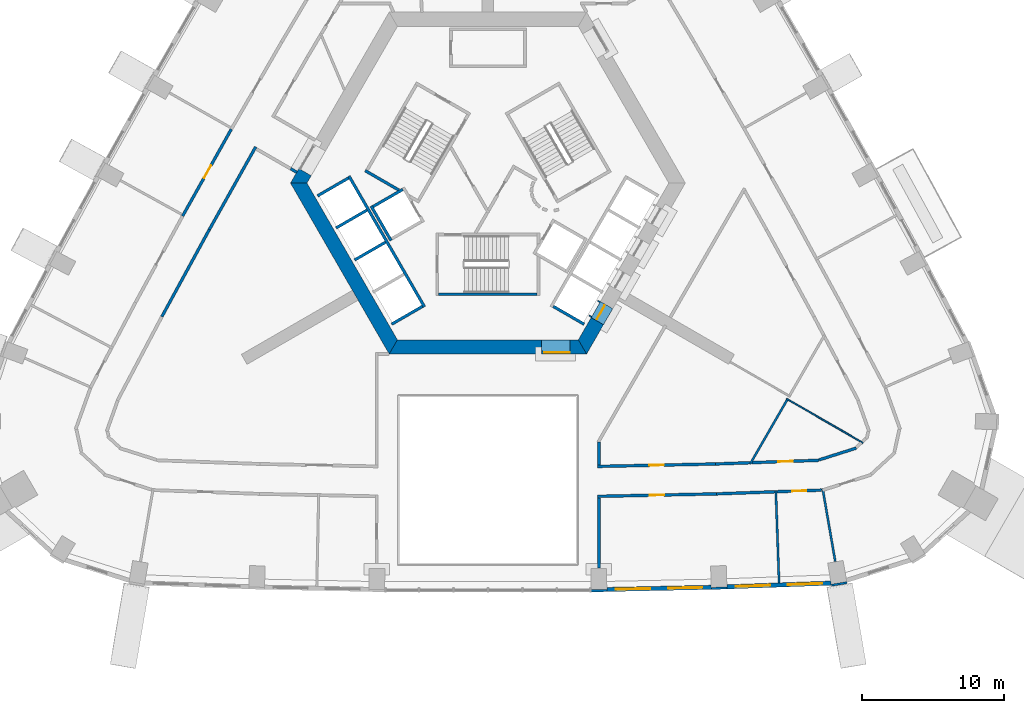
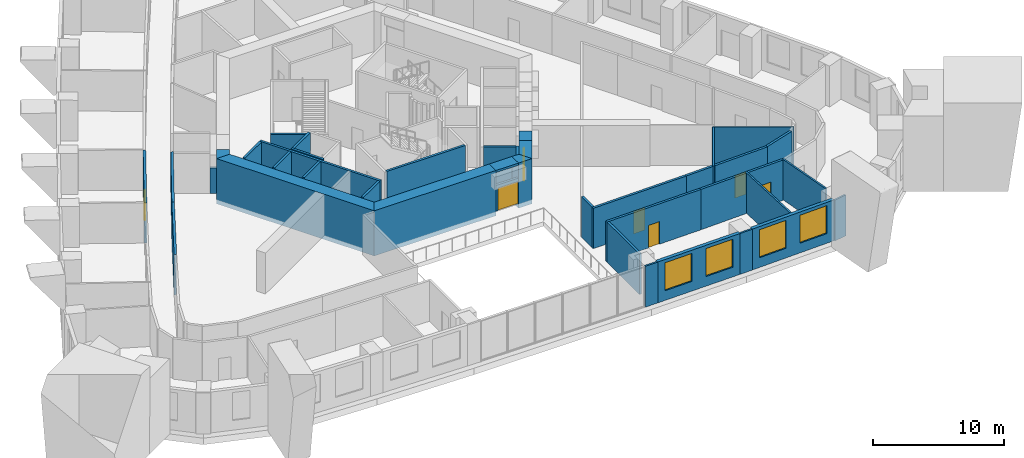
# One storey, part 5 of 14: 41 walls, 7 doors, 4 windows, 11 openings.
"""IFC4 building model written with IfcOpenShell, lengths in metres."""

from ifc_helpers import new_model, si_unit, direction, frame, frame_2d, origin, place, context, subcontext, project, spatial, polyline, rectangle, outline, extrude, material, layer, layer_set, type_object, element, fill, save


model = new_model("IFC4")

# Units and contexts
model_context = context("Model", 3, precision=1e-05, world=origin(), true_north=direction((0.0, 1.0)))
body_context = subcontext(model_context, "Body", "Model", "MODEL_VIEW")
ifc_project = project(units=[si_unit("LENGTHUNIT", "METRE"), si_unit("AREAUNIT", "SQUARE_METRE"), si_unit("VOLUMEUNIT", "CUBIC_METRE"), si_unit("PLANEANGLEUNIT", "RADIAN"), si_unit("MASSUNIT", "GRAM", prefix="KILO")], contexts=[model_context])

# Site, building, storey
site_placement = place(None, origin())
site = spatial("IfcSite", under=ifc_project, at=site_placement, CompositionType="ELEMENT")
building_placement = place(site_placement, origin())
building = spatial("IfcBuilding", under=site, at=building_placement, Name="Entoto Arch Interchange Tower", CompositionType="ELEMENT")
storey_placement = place(building_placement, frame((0.0, 0.0, 176.0)))
storey = spatial("IfcBuildingStorey", under=building, at=storey_placement, Name="L39", CompositionType="ELEMENT", Elevation=176.0)

# Wall, opening, door
ifc_material_1 = material(Name="Reinforced concrete C40/50", Category="concrete")
ifc_layer_1 = layer(ifc_material_1, 0.199951171875)
ifc_layer_set_1 = layer_set([ifc_layer_1], Name="Reinforced concrete C40/50")
wall_type_1 = type_object("IfcWallType", Name="CORE GAP INFILL WALL", PredefinedType="PARTITIONING", material=ifc_layer_set_1)
wall_1_placement = place(storey_placement, frame((3.75, -9.39990234375, 0.0), z_axis=(0.0, 0.0, 1.0), x_axis=(1.0, 0.0, 0.0)))
wall_1 = element("IfcWall", 1, at=wall_1_placement, inside=storey, type_object=wall_type_1, Name="wall:L39:gap1", PredefinedType="PARTITIONING", context=body_context, shape_type="SweptSolid", body=[
    extrude(rectangle(XDim=2.0, YDim=0.199951171875, at=frame_2d((1.0, 0.0))), origin(), (0.0, 0.0, 1.0), 2.39990234375),
])
opening_1_placement = place(wall_1_placement, frame((0.18994140625, 0.0, 0.0)))
opening_1 = element("IfcOpeningElement", 2, at=opening_1_placement, cuts=wall_1, Name="Opening L39-D91", PredefinedType="OPENING", context=body_context, shape_type="SweptSolid", body=[
    extrude(rectangle(XDim=1.800048828125, YDim=2.10009765625, at=frame_2d((0.89990234375, 1.050048828125))), frame((0.0, 0.10986328125, 0.0), z_axis=(0.0, -1.0, 0.0), x_axis=(1.0, 0.0, 0.0)), (0.0, 0.0, 1.0), 0.219970703125),
])
ifc_material_2 = material(Name="Fire-rated Steel S235 door and frame", Category="steel")
door_type_1 = type_object("IfcDoorType", Name="DOOR FD-18 1800x2100", OperationType="DOUBLE_DOOR_SINGLE_SWING", PredefinedType="DOOR", material=ifc_material_2)
door_1_placement = place(opening_1_placement, origin())
door_1 = element("IfcDoor", 3, at=door_1_placement, inside=storey, type_object=door_type_1, Name="door:L39:gap1", OperationType="DOUBLE_DOOR_SINGLE_SWING", OverallHeight=2.10009765625, OverallWidth=1.800048828125, PredefinedType="DOOR", context=body_context, shape_type="SweptSolid", body=[
    extrude(rectangle(XDim=1.800048828125, YDim=2.10009765625, at=frame_2d((0.89990234375, 1.050048828125))), frame((0.0, 0.02490234375, 0.0), z_axis=(0.0, -1.0, 0.0), x_axis=(1.0, 0.0, 0.0)), (0.0, 0.0, 1.0), 0.050048828125),
])
fill(opening_1, door_1)

# Walls
ifc_material_3 = material(Name="Concrete C50/60", Category="concrete")
ifc_layer_2 = layer(ifc_material_3, 1.0)
ifc_layer_set_2 = layer_set([ifc_layer_2], Name="Concrete C50/60")
wall_type_2 = type_object("IfcWallType", Name="Core wall 1000 C50/60", PredefinedType="SHEAR", material=ifc_layer_set_2)
wall_2_placement = place(storey_placement, frame((0.0, 0.0, -0.39990234375)))
element("IfcWall", 4, at=wall_2_placement, inside=storey, type_object=wall_type_2, Name="Core wall NW L39", PredefinedType="SHEAR", context=body_context, shape_type="SweptSolid", body=[
    extrude(outline(polyline([(-12.402099609375, 3.02001953125), (-13.26708984375, 3.52001953125), (-13.85595703125, 2.5), (-12.701904296875, 2.5), (-12.402099609375, 3.02001953125)])), origin(), (0.0, 0.0, 1.0), 4.199951171875),
])
wall_3_placement = place(storey_placement, frame((0.0, 0.0, -0.39990234375)))
element("IfcWall", 5, at=wall_3_placement, inside=storey, type_object=wall_type_2, Name="Core wall SW L39", PredefinedType="SHEAR", context=body_context, shape_type="SweptSolid", body=[
    extrude(outline(polyline([(-13.85595703125, 2.5), (-6.927978515625, -9.5), (-6.35107421875, -8.5), (-12.701904296875, 2.5), (-13.85595703125, 2.5)])), origin(), (0.0, 0.0, 1.0), 4.199951171875),
])
wall_4_placement = place(storey_placement, frame((0.0, 0.0, -0.39990234375)))
element("IfcWall", 6, at=wall_4_placement, inside=storey, type_object=wall_type_2, Name="Core wall S L39", PredefinedType="SHEAR", context=body_context, shape_type="SweptSolid", body=[
    extrude(outline(polyline([(3.75, -9.5), (3.75, -8.5), (-6.35107421875, -8.5), (-6.927978515625, -9.5), (3.75, -9.5)])), origin(), (0.0, 0.0, 1.0), 4.199951171875),
])
wall_5_placement = place(storey_placement, frame((0.0, 0.0, -0.39990234375)))
element("IfcWall", 7, at=wall_5_placement, inside=storey, type_object=wall_type_2, Name="Core wall S L39", PredefinedType="SHEAR", context=body_context, shape_type="SweptSolid", body=[
    extrude(outline(polyline([(5.75, -8.5), (5.75, -9.5), (6.927978515625, -9.5), (6.35107421875, -8.5), (5.75, -8.5)])), origin(), (0.0, 0.0, 1.0), 4.199951171875),
])
wall_6_placement = place(storey_placement, frame((0.0, 0.0, 3.60009765625)))
element("IfcWall", 8, at=wall_6_placement, inside=storey, type_object=wall_type_2, Name="Core wall lintel S L39", PredefinedType="SHEAR", context=body_context, shape_type="SweptSolid", body=[
    extrude(outline(polyline([(5.75, -9.5), (5.75, -8.5), (3.75, -8.5), (3.75, -9.5), (5.75, -9.5)])), origin(), (0.0, 0.0, 1.0), 0.199951171875),
])
wall_7_placement = place(storey_placement, frame((0.0, 0.0, -0.39990234375)))
element("IfcWall", 9, at=wall_7_placement, inside=storey, type_object=wall_type_2, Name="Core wall SE L39", PredefinedType="SHEAR", context=body_context, shape_type="SweptSolid", body=[
    extrude(outline(polyline([(8.116943359375, -7.43994140625), (7.251953125, -6.93994140625), (6.35107421875, -8.5), (6.927978515625, -9.5), (8.116943359375, -7.43994140625)])), origin(), (0.0, 0.0, 1.0), 4.199951171875),
])
wall_8_placement = place(storey_placement, frame((0.0, 0.0, 3.60009765625)))
element("IfcWall", 10, at=wall_8_placement, inside=storey, type_object=wall_type_2, Name="Core wall lintel SE L39", PredefinedType="SHEAR", context=body_context, shape_type="SweptSolid", body=[
    extrude(outline(polyline([(8.76708984375, -6.31396484375), (7.902099609375, -5.81396484375), (7.251953125, -6.93994140625), (8.116943359375, -7.43994140625), (8.76708984375, -6.31396484375)])), origin(), (0.0, 0.0, 1.0), 0.199951171875),
])

# Wall, opening, door
ifc_material_4 = material(Name="Concrete C40/50", Category="concrete")
ifc_layer_3 = layer(ifc_material_4, 1.199951171875)
ifc_layer_set_3 = layer_set([ifc_layer_3], Name="Concrete C40/50")
wall_type_3 = type_object("IfcWallType", Name="LIFT LANDING INFILL WALL", PredefinedType="STANDARD", material=ifc_layer_set_3)
wall_9_placement = place(storey_placement, frame((7.597900390625, -7.139892578125, 0.0), z_axis=(0.0, 0.0, 1.0), x_axis=(0.500362116554, 0.865816234728, 0.0)))
wall_9 = element("IfcWall", 11, at=wall_9_placement, inside=storey, type_object=wall_type_3, Name="Lift landing infill wall LR5 L39", PredefinedType="STANDARD", context=body_context, shape_type="SweptSolid", body=[
    extrude(rectangle(XDim=1.29931640625, YDim=1.199951171875, at=frame_2d((0.649658203125, 0.0))), origin(), (0.0, 0.0, 1.0), 2.39990234375),
])
opening_2_placement = place(wall_9_placement, frame((0.10009765625, 0.0, 0.0)))
opening_2 = element("IfcOpeningElement", 12, at=opening_2_placement, cuts=wall_9, Name="Opening LD-LR5-L39", PredefinedType="OPENING", context=body_context, shape_type="SweptSolid", body=[
    extrude(rectangle(XDim=1.10009765625, YDim=2.300048828125, at=frame_2d((0.550048828125, 1.14990234375))), frame((0.0, 0.60986328125, 0.0), z_axis=(0.0, -1.0, 0.0), x_axis=(1.0, 0.0, 0.0)), (0.0, 0.0, 1.0), 1.219970703125),
])
ifc_material_5 = material(Name="Stainless steel 1.4301 panels", Category="steel")
door_type_2 = type_object("IfcDoorType", Name="LIFT LANDING DOOR LD2 1100x2300", OperationType="SLIDING_TO_LEFT", PredefinedType="DOOR", material=ifc_material_5)
door_2_placement = place(opening_2_placement, origin())
door_2 = element("IfcDoor", 13, at=door_2_placement, inside=storey, type_object=door_type_2, Name="Lift landing door LR5 L39", OperationType="SLIDING_TO_LEFT", OverallHeight=2.300048828125, OverallWidth=1.10009765625, PredefinedType="DOOR", context=body_context, shape_type="SweptSolid", body=[
    extrude(rectangle(XDim=1.10009765625, YDim=2.300048828125, at=frame_2d((0.550048828125, 1.14990234375))), frame((0.0, 0.02490234375, 0.0), z_axis=(0.0, -1.0, 0.0), x_axis=(1.0, 0.0, 0.0)), (0.0, 0.0, 1.0), 0.050048828125),
])
fill(opening_2, door_2)

# Walls
ifc_layer_4 = layer(ifc_material_4, 0.199951171875)
ifc_layer_set_4 = layer_set([ifc_layer_4], Name="Concrete C40/50")
wall_type_4 = type_object("IfcWallType", Name="LIFT SHAFT WALL 200", PredefinedType="STANDARD", material=ifc_layer_set_4)
wall_10_placement = place(storey_placement, frame((-8.19189453125, 0.887939453125, 0.0), z_axis=(0.0, 0.0, 1.0), x_axis=(0.49994636267, -0.866056369097, 0.0)))
element("IfcWall", 14, at=wall_10_placement, inside=storey, type_object=wall_type_4, Name="Shaft wall SW1 back", PredefinedType="STANDARD", context=body_context, shape_type="SweptSolid", body=[
    extrude(rectangle(XDim=2.800048828125, YDim=0.199951171875, at=frame_2d((1.39990234375, 0.0))), origin(), (0.0, 0.0, 1.0), 3.75),
])
wall_11_placement = place(storey_placement, frame((-5.97705078125, 2.052001953125, 0.0), z_axis=(0.0, 0.0, 1.0), x_axis=(-0.865973769406, -0.500089422704, 0.0)))
element("IfcWall", 15, at=wall_11_placement, inside=storey, type_object=wall_type_4, Name="Shaft wall SW1 cross 1", PredefinedType="STANDARD", context=body_context, shape_type="SweptSolid", body=[
    extrude(rectangle(XDim=2.3994140625, YDim=0.199951171875, at=frame_2d((1.19970703125, 0.0))), origin(), (0.0, 0.0, 1.0), 3.75),
])
wall_12_placement = place(storey_placement, frame((-9.7509765625, 2.989990234375, 0.0), z_axis=(0.0, 0.0, 1.0), x_axis=(0.50000090737, -0.866024879913, 0.0)))
element("IfcWall", 16, at=wall_12_placement, inside=storey, type_object=wall_type_4, Name="Shaft wall SW3 front", PredefinedType="STANDARD", context=body_context, shape_type="SweptSolid", body=[
    extrude(rectangle(XDim=10.60009765625, YDim=0.199951171875, at=frame_2d((5.300048828125, 0.0))), origin(), (0.0, 0.0, 1.0), 3.75),
])
wall_13_placement = place(storey_placement, frame((-9.7880859375, 2.85302734375, 0.0), z_axis=(0.0, 0.0, 1.0), x_axis=(-0.865998541277, -0.500046524342, 0.0)))
element("IfcWall", 17, at=wall_13_placement, inside=storey, type_object=wall_type_4, Name="Shaft wall SW3 cross 1", PredefinedType="STANDARD", context=body_context, shape_type="SweptSolid", body=[
    extrude(rectangle(XDim=2.499755859375, YDim=0.199951171875, at=frame_2d((1.25, 0.0))), origin(), (0.0, 0.0, 1.0), 3.75),
])
for number, where, z_axis, x_axis, name in (
    (18, (-8.488037109375, 0.60205078125, 0.0), (0.0, 0.0, 1.0), (-0.866022959057, -0.500004234368, 0.0), "Shaft wall SW3 cross 2"),
    (19, (-7.18798828125, -1.64990234375, 0.0), (0.0, 0.0, 1.0), (-0.866022959057, -0.500004234368, 0.0), "Shaft wall SW3 cross 3"),
    (20, (-4.587890625, -6.153076171875, 0.0), (0.0, 0.0, 1.0), (-0.866022959057, -0.500004234368, 0.0), "Shaft wall SW3 cross 5"),
    (21, (4.587890625, -6.153076171875, 0.0), (0.0, 0.0, 1.0), (0.866022959057, -0.500004234368, 0.0), "Shaft wall SE3 cross 1"),
):
    element("IfcWall", number, at=place(storey_placement, frame(where, z_axis=z_axis, x_axis=x_axis)), inside=storey, type_object=wall_type_4, Name=name, PredefinedType="STANDARD", context=body_context, shape_type="SweptSolid", body=[
        extrude(rectangle(XDim=2.5, YDim=0.199951171875, at=frame_2d((1.25, 0.0))), origin(), (0.0, 0.0, 1.0), 3.75),
    ])
ifc_material_6 = material(Name="Gypsum board partition on steel studs", Category="steel")
ifc_layer_5 = layer(ifc_material_6, 0.10009765625)
ifc_layer_set_5 = layer_set([ifc_layer_5], Name="Gypsum board partition on steel studs")
wall_type_5 = type_object("IfcWallType", Name="PARTITION 100", PredefinedType="PARTITIONING", material=ifc_layer_set_5)
wall_14_placement = place(storey_placement, frame((20.964111328125, -12.637939453125, 0.0), z_axis=(0.0, 0.0, 1.0), x_axis=(0.865981737723, -0.500075624211, 0.0)))
element("IfcWall", 22, at=wall_14_placement, inside=storey, type_object=wall_type_5, Name="wall:L39:p111", PredefinedType="PARTITIONING", context=body_context, shape_type="SweptSolid", body=[
    extrude(rectangle(XDim=6.203125, YDim=0.10009765625, at=frame_2d((3.1015625, 0.0))), origin(), (0.0, 0.0, 1.0), 3.75),
])
ifc_layer_6 = layer(ifc_material_6, 0.14990234375)
ifc_layer_set_6 = layer_set([ifc_layer_6], Name="Gypsum board partition on steel studs")
wall_type_6 = type_object("IfcWallType", Name="PARTITION 150", PredefinedType="PARTITIONING", material=ifc_layer_set_6)
wall_15_placement = place(storey_placement, frame((21.00390625, -12.718994140625, 0.0), z_axis=(0.0, 0.0, 1.0), x_axis=(-0.499877157623, -0.866096315249, 0.0)))
element("IfcWall", 23, at=wall_15_placement, inside=storey, type_object=wall_type_6, Name="wall:L39:p109", PredefinedType="PARTITIONING", context=body_context, shape_type="SweptSolid", body=[
    extrude(rectangle(XDim=5.191162109375, YDim=0.14990234375, at=frame_2d((2.595703125, 0.0))), origin(), (0.0, 0.0, 1.0), 3.75),
])
wall_16_placement = place(storey_placement, frame((20.2099609375, -19.06689453125, 0.0), z_axis=(0.0, 0.0, 1.0), x_axis=(0.035530768169, -0.999368582913, 0.0)))
element("IfcWall", 24, at=wall_16_placement, inside=storey, type_object=wall_type_6, Name="wall:L39:p112", PredefinedType="PARTITIONING", context=body_context, shape_type="SweptSolid", body=[
    extrude(rectangle(XDim=6.500244140625, YDim=0.14990234375, at=frame_2d((3.25, 0.0))), origin(), (0.0, 0.0, 1.0), 3.75),
])
wall_17_placement = place(storey_placement, frame((23.498046875, -18.949951171875, 0.0), z_axis=(0.0, 0.0, 1.0), x_axis=(0.170609023531, -0.985338805229, 0.0)))
element("IfcWall", 25, at=wall_17_placement, inside=storey, type_object=wall_type_6, Name="wall:L39:p113", PredefinedType="PARTITIONING", context=body_context, shape_type="SweptSolid", body=[
    extrude(rectangle(XDim=5.193115234375, YDim=0.14990234375, at=frame_2d((2.5966796875, 0.0))), origin(), (0.0, 0.0, 1.0), 3.75),
])

# Wall, opening, door
ifc_layer_7 = layer(ifc_material_6, 0.199951171875)
ifc_layer_set_7 = layer_set([ifc_layer_7], Name="Gypsum board partition on steel studs")
wall_type_7 = type_object("IfcWallType", Name="PARTITION 200", PredefinedType="PARTITIONING", material=ifc_layer_set_7)
wall_18_placement = place(storey_placement, frame((7.699951171875, -17.388916015625, 0.0), z_axis=(0.0, 0.0, 1.0), x_axis=(0.999782442794, 0.020858261713, 0.0)))
wall_18 = element("IfcWall", 26, at=wall_18_placement, inside=storey, type_object=wall_type_7, Name="wall:L39:p020", PredefinedType="PARTITIONING", context=body_context, shape_type="SweptSolid", body=[
    extrude(rectangle(XDim=8.286865234375, YDim=0.199951171875, at=frame_2d((4.1435546875, 0.0))), origin(), (0.0, 0.0, 1.0), 3.75),
])
opening_3_placement = place(wall_18_placement, frame((3.64404296875, 0.0, 0.0)))
opening_3 = element("IfcOpeningElement", 27, at=opening_3_placement, cuts=wall_18, Name="Opening L39-D19", PredefinedType="OPENING", context=body_context, shape_type="SweptSolid", body=[
    extrude(rectangle(XDim=1.0, YDim=2.10009765625, at=frame_2d((0.5, 1.050048828125))), frame((0.0, 0.10986328125, 0.0), z_axis=(0.0, -1.0, 0.0), x_axis=(1.0, 0.0, 0.0)), (0.0, 0.0, 1.0), 0.219970703125),
])
ifc_material_7 = material(Name="Timber door leaf in Steel S235 frame", Category="steel")
door_type_3 = type_object("IfcDoorType", Name="DOOR DS-10 1000x2100", OperationType="SINGLE_SWING_LEFT", PredefinedType="DOOR", material=ifc_material_7)
door_3_placement = place(opening_3_placement, origin())
door_3 = element("IfcDoor", 28, at=door_3_placement, inside=storey, type_object=door_type_3, Name="door:L39:19", OperationType="SINGLE_SWING_RIGHT", OverallHeight=2.10009765625, OverallWidth=1.0, PredefinedType="DOOR", context=body_context, shape_type="SweptSolid", body=[
    extrude(rectangle(XDim=1.0, YDim=2.10009765625, at=frame_2d((0.5, 1.050048828125))), frame((0.0, 0.02490234375, 0.0), z_axis=(0.0, -1.0, 0.0), x_axis=(1.0, 0.0, 0.0)), (0.0, 0.0, 1.0), 0.050048828125),
])
fill(opening_3, door_3)

# Wall
wall_19_placement = place(storey_placement, frame((15.985107421875, -17.216064453125, 0.0), z_axis=(0.0, 0.0, 1.0), x_axis=(0.999373434249, 0.035394052017, 0.0)))
element("IfcWall", 29, at=wall_19_placement, inside=storey, type_object=wall_type_7, Name="wall:L39:p021", PredefinedType="PARTITIONING", context=body_context, shape_type="SweptSolid", body=[
    extrude(rectangle(XDim=2.400390625, YDim=0.199951171875, at=frame_2d((1.2001953125, 0.0))), origin(), (0.0, 0.0, 1.0), 3.75),
])

# Wall, opening, door
wall_20_placement = place(storey_placement, frame((18.533935546875, -17.125, 0.0), z_axis=(0.0, 0.0, 1.0), x_axis=(0.999367128298, 0.035571658351, 0.0)))
wall_20 = element("IfcWall", 30, at=wall_20_placement, inside=storey, type_object=wall_type_7, Name="wall:L39:p025", PredefinedType="PARTITIONING", context=body_context, shape_type="SweptSolid", body=[
    extrude(rectangle(XDim=4.721923828125, YDim=0.199951171875, at=frame_2d((2.36083984375, 0.0))), origin(), (0.0, 0.0, 1.0), 3.75),
])
opening_4_placement = place(wall_20_placement, frame((1.861083984375, 0.0, 0.0)))
opening_4 = element("IfcOpeningElement", 31, at=opening_4_placement, cuts=wall_20, Name="Opening L39-D21", PredefinedType="OPENING", context=body_context, shape_type="SweptSolid", body=[
    extrude(rectangle(XDim=1.0, YDim=2.10009765625, at=frame_2d((0.5, 1.050048828125))), frame((0.0, 0.10986328125, 0.0), z_axis=(0.0, -1.0, 0.0), x_axis=(1.0, 0.0, 0.0)), (0.0, 0.0, 1.0), 0.219970703125),
])
door_4_placement = place(opening_4_placement, origin())
door_4 = element("IfcDoor", 32, at=door_4_placement, inside=storey, type_object=door_type_3, Name="door:L39:21", OperationType="SINGLE_SWING_LEFT", OverallHeight=2.10009765625, OverallWidth=1.0, PredefinedType="DOOR", context=body_context, shape_type="SweptSolid", body=[
    extrude(rectangle(XDim=1.0, YDim=2.10009765625, at=frame_2d((0.5, 1.050048828125))), frame((0.0, 0.02490234375, 0.0), z_axis=(0.0, -1.0, 0.0), x_axis=(1.0, 0.0, 0.0)), (0.0, 0.0, 1.0), 0.050048828125),
])
fill(opening_4, door_4)

# Walls
wall_21_placement = place(storey_placement, frame((23.2490234375, -16.929931640625, 0.0), z_axis=(0.0, 0.0, 1.0), x_axis=(0.953158072423, 0.302472625167, 0.0)))
element("IfcWall", 33, at=wall_21_placement, inside=storey, type_object=wall_type_7, Name="wall:L39:p026", PredefinedType="PARTITIONING", context=body_context, shape_type="SweptSolid", body=[
    extrude(rectangle(XDim=2.743408203125, YDim=0.199951171875, at=frame_2d((1.37158203125, 0.0))), origin(), (0.0, 0.0, 1.0), 3.75),
])
wall_22_placement = place(storey_placement, frame((-13.4169921875, 3.260009765625, 0.0), z_axis=(0.0, 0.0, 1.0), x_axis=(-0.866071776036, 0.499919672301, 0.0)))
element("IfcWall", 34, at=wall_22_placement, inside=storey, type_object=wall_type_7, Name="wall:L39:p039", PredefinedType="PARTITIONING", context=body_context, shape_type="SweptSolid", body=[
    extrude(rectangle(XDim=0.5, YDim=0.199951171875, at=frame_2d((0.25, 0.0))), origin(), (0.0, 0.0, 1.0), 2.39990234375),
])
wall_23_placement = place(storey_placement, frame((-16.299072265625, 5.0400390625, 0.0), z_axis=(0.0, 0.0, 1.0), x_axis=(-0.489219677344, -0.872160597195, 0.0)))
element("IfcWall", 35, at=wall_23_placement, inside=storey, type_object=wall_type_7, Name="wall:L39:p040", PredefinedType="PARTITIONING", context=body_context, shape_type="SweptSolid", body=[
    extrude(rectangle(XDim=6.6572265625, YDim=0.199951171875, at=frame_2d((3.32861328125, 0.0))), origin(), (0.0, 0.0, 1.0), 3.75),
])
wall_24_placement = place(storey_placement, frame((-19.555908203125, -0.76611328125, 0.0), z_axis=(0.0, 0.0, 1.0), x_axis=(-0.478665365973, -0.877997418799, 0.0)))
element("IfcWall", 36, at=wall_24_placement, inside=storey, type_object=wall_type_7, Name="wall:L39:p041", PredefinedType="PARTITIONING", context=body_context, shape_type="SweptSolid", body=[
    extrude(rectangle(XDim=6.961181640625, YDim=0.199951171875, at=frame_2d((3.48046875, 0.0))), origin(), (0.0, 0.0, 1.0), 3.75),
])
wall_25_placement = place(storey_placement, frame((20.137939453125, -19.1689453125, 0.0), z_axis=(0.0, 0.0, 1.0), x_axis=(-0.999355925453, -0.035885014442, 0.0)))
element("IfcWall", 37, at=wall_25_placement, inside=storey, type_object=wall_type_7, Name="wall:L39:p042", PredefinedType="PARTITIONING", context=body_context, shape_type="SweptSolid", body=[
    extrude(rectangle(XDim=4.095703125, YDim=0.199951171875, at=frame_2d((2.0478515625, 0.0))), origin(), (0.0, 0.0, 1.0), 3.75),
])

# Wall, opening, door
wall_26_placement = place(storey_placement, frame((16.044921875, -19.31591796875, 0.0), z_axis=(0.0, 0.0, 1.0), x_axis=(-0.99978251073, -0.020855005124, 0.0)))
wall_26 = element("IfcWall", 38, at=wall_26_placement, inside=storey, type_object=wall_type_7, Name="wall:L39:p043", PredefinedType="PARTITIONING", context=body_context, shape_type="SweptSolid", body=[
    extrude(rectangle(XDim=8.3466796875, YDim=0.199951171875, at=frame_2d((4.17333984375, 0.0))), origin(), (0.0, 0.0, 1.0), 3.75),
])
opening_5_placement = place(wall_26_placement, frame((3.673095703125, 0.0, 0.0)))
opening_5 = element("IfcOpeningElement", 39, at=opening_5_placement, cuts=wall_26, Name="Opening L39-D01", PredefinedType="OPENING", context=body_context, shape_type="SweptSolid", body=[
    extrude(rectangle(XDim=1.0, YDim=2.10009765625, at=frame_2d((0.5, 1.050048828125))), frame((0.0, 0.10986328125, 0.0), z_axis=(0.0, -1.0, 0.0), x_axis=(1.0, 0.0, 0.0)), (0.0, 0.0, 1.0), 0.219970703125),
])
door_5_placement = place(opening_5_placement, origin())
door_5 = element("IfcDoor", 40, at=door_5_placement, inside=storey, type_object=door_type_3, Name="door:L39:01", OperationType="SINGLE_SWING_RIGHT", OverallHeight=2.10009765625, OverallWidth=1.0, PredefinedType="DOOR", context=body_context, shape_type="SweptSolid", body=[
    extrude(rectangle(XDim=1.0, YDim=2.10009765625, at=frame_2d((0.5, 1.050048828125))), frame((0.0, 0.02490234375, 0.0), z_axis=(0.0, -1.0, 0.0), x_axis=(1.0, 0.0, 0.0)), (0.0, 0.0, 1.0), 0.050048828125),
])
fill(opening_5, door_5)

wall_27_placement = place(storey_placement, frame((23.4150390625, -19.052001953125, 0.0), z_axis=(0.0, 0.0, 1.0), x_axis=(-0.999358473407, -0.035813986516, 0.0)))
wall_27 = element("IfcWall", 41, at=wall_27_placement, inside=storey, type_object=wall_type_7, Name="wall:L39:p044", PredefinedType="PARTITIONING", context=body_context, shape_type="SweptSolid", body=[
    extrude(rectangle(XDim=3.12890625, YDim=0.199951171875, at=frame_2d((1.564453125, 0.0))), origin(), (0.0, 0.0, 1.0), 3.75),
])
opening_6_placement = place(wall_27_placement, frame((1.06494140625, 0.0, 0.0)))
opening_6 = element("IfcOpeningElement", 42, at=opening_6_placement, cuts=wall_27, Name="Opening L39-D02", PredefinedType="OPENING", context=body_context, shape_type="SweptSolid", body=[
    extrude(rectangle(XDim=1.0, YDim=2.10009765625, at=frame_2d((0.5, 1.050048828125))), frame((0.0, 0.10986328125, 0.0), z_axis=(0.0, -1.0, 0.0), x_axis=(1.0, 0.0, 0.0)), (0.0, 0.0, 1.0), 0.219970703125),
])
door_6_placement = place(opening_6_placement, origin())
door_6 = element("IfcDoor", 43, at=door_6_placement, inside=storey, type_object=door_type_3, Name="door:L39:02", OperationType="SINGLE_SWING_LEFT", OverallHeight=2.10009765625, OverallWidth=1.0, PredefinedType="DOOR", context=body_context, shape_type="SweptSolid", body=[
    extrude(rectangle(XDim=1.0, YDim=2.10009765625, at=frame_2d((0.5, 1.050048828125))), frame((0.0, 0.02490234375, 0.0), z_axis=(0.0, -1.0, 0.0), x_axis=(1.0, 0.0, 0.0)), (0.0, 0.0, 1.0), 0.050048828125),
])
fill(opening_6, door_6)

wall_28_placement = place(storey_placement, frame((-21.429931640625, 0.18505859375, 0.0), z_axis=(0.0, 0.0, 1.0), x_axis=(0.489124577711, 0.872213934468, 0.0)))
wall_28 = element("IfcWall", 44, at=wall_28_placement, inside=storey, type_object=wall_type_7, Name="wall:L39:p067", PredefinedType="PARTITIONING", context=body_context, shape_type="SweptSolid", body=[
    extrude(rectangle(XDim=6.988037109375, YDim=0.199951171875, at=frame_2d((3.494140625, 0.0))), origin(), (0.0, 0.0, 1.0), 3.75),
])
opening_7_placement = place(wall_28_placement, frame((3.069091796875, 0.0, 0.0)))
opening_7 = element("IfcOpeningElement", 45, at=opening_7_placement, cuts=wall_28, Name="Opening L39-D13", PredefinedType="OPENING", context=body_context, shape_type="SweptSolid", body=[
    extrude(rectangle(XDim=1.0, YDim=2.10009765625, at=frame_2d((0.5, 1.050048828125))), frame((0.0, 0.10986328125, 0.0), z_axis=(0.0, -1.0, 0.0), x_axis=(1.0, 0.0, 0.0)), (0.0, 0.0, 1.0), 0.219970703125),
])
door_7_placement = place(opening_7_placement, origin())
door_7 = element("IfcDoor", 46, at=door_7_placement, inside=storey, type_object=door_type_3, Name="door:L39:13", OperationType="SINGLE_SWING_LEFT", OverallHeight=2.10009765625, OverallWidth=1.0, PredefinedType="DOOR", context=body_context, shape_type="SweptSolid", body=[
    extrude(rectangle(XDim=1.0, YDim=2.10009765625, at=frame_2d((0.5, 1.050048828125))), frame((0.0, 0.02490234375, 0.0), z_axis=(0.0, -1.0, 0.0), x_axis=(1.0, 0.0, 0.0)), (0.0, 0.0, 1.0), 0.050048828125),
])
fill(opening_7, door_7)

# Walls
wall_29_placement = place(storey_placement, frame((7.800048828125, -15.68994140625, 0.0), z_axis=(0.0, 0.0, 1.0), x_axis=(0.0, -1.0, 0.0)))
element("IfcWall", 47, at=wall_29_placement, inside=storey, type_object=wall_type_7, Name="wall:L39:p096", PredefinedType="PARTITIONING", context=body_context, shape_type="SweptSolid", body=[
    extrude(rectangle(XDim=1.59716796875, YDim=0.199951171875, at=frame_2d((0.798583984375, 0.0))), origin(), (0.0, 0.0, 1.0), 3.75),
])
wall_30_placement = place(storey_placement, frame((7.800048828125, -19.587890625, 0.0), z_axis=(0.0, 0.0, 1.0), x_axis=(0.0, -1.0, 0.0)))
element("IfcWall", 48, at=wall_30_placement, inside=storey, type_object=wall_type_7, Name="wall:L39:p099", PredefinedType="PARTITIONING", context=body_context, shape_type="SweptSolid", body=[
    extrude(rectangle(XDim=4.93115234375, YDim=0.199951171875, at=frame_2d((2.465576171875, 0.0))), origin(), (0.0, 0.0, 1.0), 3.75),
])
ifc_layer_8 = layer(ifc_material_4, 0.199951171875)
ifc_layer_set_8 = layer_set([ifc_layer_8], Name="Concrete C40/50")
wall_type_8 = type_object("IfcWallType", Name="STAIR ENCLOSURE WALL 200", PredefinedType="STANDARD", material=ifc_layer_set_8)
wall_31_placement = place(storey_placement, frame((-3.449951171875, -5.300048828125, 0.0), z_axis=(0.0, 0.0, 1.0), x_axis=(1.0, 0.0, 0.0)))
element("IfcWall", 49, at=wall_31_placement, inside=storey, type_object=wall_type_8, Name="Stair wall ST-S back", PredefinedType="STANDARD", context=body_context, shape_type="SweptSolid", body=[
    extrude(rectangle(XDim=6.89990234375, YDim=0.199951171875, at=frame_2d((3.449951171875, 0.0))), origin(), (0.0, 0.0, 1.0), 3.75),
])
wall_32_placement = place(storey_placement, frame((-6.25, 2.010009765625, 0.0), z_axis=(0.0, 0.0, 1.0), x_axis=(-0.86611865017, 0.499838457731, 0.0)))
element("IfcWall", 50, at=wall_32_placement, inside=storey, type_object=wall_type_8, Name="Stair wall ST-NW far", PredefinedType="STANDARD", context=body_context, shape_type="SweptSolid", body=[
    extrude(rectangle(XDim=2.73291015625, YDim=0.199951171875, at=frame_2d((1.366455078125, 0.0))), origin(), (0.0, 0.0, 1.0), 3.75),
])

# Wall, openings, windows
ifc_material_8 = material(Name="Welded tuff (ignimbrite) cladding, warm buff", Category="masonry")
ifc_layer_9 = layer(ifc_material_8, 0.300048828125)
ifc_layer_set_9 = layer_set([ifc_layer_9], Name="Welded tuff (ignimbrite) cladding, warm buff")
wall_type_9 = type_object("IfcWallType", Name="STONE INFILL WALL 300", PredefinedType="STANDARD", material=ifc_layer_set_9)
wall_33_placement = place(storey_placement, frame((8.346923828125, -26.028076171875, 0.0), z_axis=(0.0, 0.0, 1.0), x_axis=(0.999782189413, 0.020870403275, 0.0)))
wall_33 = element("IfcWall", 51, at=wall_33_placement, inside=storey, type_object=wall_type_9, Name="Facade wall S-04 L39", PredefinedType="STANDARD", context=body_context, shape_type="SweptSolid", body=[
    extrude(rectangle(XDim=7.334716796875, YDim=0.300048828125, at=frame_2d((3.66748046875, 0.0))), origin(), (0.0, 0.0, 1.0), 3.800048828125),
])
opening_8_placement = place(wall_33_placement, frame((0.634033203125, 0.0, 0.89990234375)))
opening_8 = element("IfcOpeningElement", 52, at=opening_8_placement, cuts=wall_33, Name="Opening WO-A", PredefinedType="OPENING", context=body_context, shape_type="SweptSolid", body=[
    extrude(rectangle(XDim=2.39990234375, YDim=2.60009765625, at=frame_2d((1.199951171875, 1.300048828125))), frame((0.0, 0.16015625, 0.0), z_axis=(0.0, -1.0, 0.0), x_axis=(1.0, 0.0, 0.0)), (0.0, 0.0, 1.0), 0.320068359375),
])
opening_9_placement = place(wall_33_placement, frame((4.301025390625, 0.0, 0.89990234375)))
opening_9 = element("IfcOpeningElement", 53, at=opening_9_placement, cuts=wall_33, Name="Opening WO-A", PredefinedType="OPENING", context=body_context, shape_type="SweptSolid", body=[
    extrude(rectangle(XDim=2.39990234375, YDim=2.60009765625, at=frame_2d((1.199951171875, 1.300048828125))), frame((0.0, 0.16015625, 0.0), z_axis=(0.0, -1.0, 0.0), x_axis=(1.0, 0.0, 0.0)), (0.0, 0.0, 1.0), 0.320068359375),
])
ifc_material_9 = material(Name="Clear glass, low-e double glazed", Category="glass")
window_type = type_object("IfcWindowType", Name="WINDOW WO-A 2400x2600", PartitioningType="DOUBLE_PANEL_VERTICAL", PredefinedType="WINDOW", material=ifc_material_9)
window_1_placement = place(opening_8_placement, origin())
window_1 = element("IfcWindow", 54, at=window_1_placement, inside=storey, type_object=window_type, Name="Window WO-A S-04 L39", OverallHeight=2.60009765625, OverallWidth=2.39990234375, PartitioningType="SINGLE_PANEL", PredefinedType="WINDOW", context=body_context, shape_type="SweptSolid", body=[
    extrude(rectangle(XDim=2.39990234375, YDim=2.60009765625, at=frame_2d((1.199951171875, 1.300048828125))), frame((0.0, 0.030029296875, 0.0), z_axis=(0.0, -1.0, 0.0), x_axis=(1.0, 0.0, 0.0)), (0.0, 0.0, 1.0), 0.06005859375),
])
fill(opening_8, window_1)
window_2_placement = place(opening_9_placement, origin())
window_2 = element("IfcWindow", 55, at=window_2_placement, inside=storey, type_object=window_type, Name="Window WO-A S-04 L39", OverallHeight=2.60009765625, OverallWidth=2.39990234375, PartitioningType="SINGLE_PANEL", PredefinedType="WINDOW", context=body_context, shape_type="SweptSolid", body=[
    extrude(rectangle(XDim=2.39990234375, YDim=2.60009765625, at=frame_2d((1.199951171875, 1.300048828125))), frame((0.0, 0.030029296875, 0.0), z_axis=(0.0, -1.0, 0.0), x_axis=(1.0, 0.0, 0.0)), (0.0, 0.0, 1.0), 0.06005859375),
])
fill(opening_9, window_2)

wall_34_placement = place(storey_placement, frame((16.778076171875, -25.843017578125, 0.0), z_axis=(0.0, 0.0, 1.0), x_axis=(0.999368368263, 0.035536805082, 0.0)))
wall_34 = element("IfcWall", 56, at=wall_34_placement, inside=storey, type_object=wall_type_9, Name="Facade wall S-05 L39", PredefinedType="STANDARD", context=body_context, shape_type="SweptSolid", body=[
    extrude(rectangle(XDim=7.316650390625, YDim=0.300048828125, at=frame_2d((3.658203125, 0.0))), origin(), (0.0, 0.0, 1.0), 3.800048828125),
])
opening_10_placement = place(wall_34_placement, frame((0.62890625, 0.0, 0.89990234375)))
opening_10 = element("IfcOpeningElement", 57, at=opening_10_placement, cuts=wall_34, Name="Opening WO-A", PredefinedType="OPENING", context=body_context, shape_type="SweptSolid", body=[
    extrude(rectangle(XDim=2.39990234375, YDim=2.60009765625, at=frame_2d((1.199951171875, 1.300048828125))), frame((0.0, 0.16015625, 0.0), z_axis=(0.0, -1.0, 0.0), x_axis=(1.0, 0.0, 0.0)), (0.0, 0.0, 1.0), 0.320068359375),
])
opening_11_placement = place(wall_34_placement, frame((4.287109375, 0.0, 0.89990234375)))
opening_11 = element("IfcOpeningElement", 58, at=opening_11_placement, cuts=wall_34, Name="Opening WO-A", PredefinedType="OPENING", context=body_context, shape_type="SweptSolid", body=[
    extrude(rectangle(XDim=2.39990234375, YDim=2.60009765625, at=frame_2d((1.199951171875, 1.300048828125))), frame((0.0, 0.16015625, 0.0), z_axis=(0.0, -1.0, 0.0), x_axis=(1.0, 0.0, 0.0)), (0.0, 0.0, 1.0), 0.320068359375),
])
window_3_placement = place(opening_10_placement, origin())
window_3 = element("IfcWindow", 59, at=window_3_placement, inside=storey, type_object=window_type, Name="Window WO-A S-05 L39", OverallHeight=2.60009765625, OverallWidth=2.39990234375, PartitioningType="SINGLE_PANEL", PredefinedType="WINDOW", context=body_context, shape_type="SweptSolid", body=[
    extrude(rectangle(XDim=2.39990234375, YDim=2.60009765625, at=frame_2d((1.199951171875, 1.300048828125))), frame((0.0, 0.030029296875, 0.0), z_axis=(0.0, -1.0, 0.0), x_axis=(1.0, 0.0, 0.0)), (0.0, 0.0, 1.0), 0.06005859375),
])
fill(opening_10, window_3)
window_4_placement = place(opening_11_placement, origin())
window_4 = element("IfcWindow", 60, at=window_4_placement, inside=storey, type_object=window_type, Name="Window WO-A S-05 L39", OverallHeight=2.60009765625, OverallWidth=2.39990234375, PartitioningType="SINGLE_PANEL", PredefinedType="WINDOW", context=body_context, shape_type="SweptSolid", body=[
    extrude(rectangle(XDim=2.39990234375, YDim=2.60009765625, at=frame_2d((1.199951171875, 1.300048828125))), frame((0.0, 0.030029296875, 0.0), z_axis=(0.0, -1.0, 0.0), x_axis=(1.0, 0.0, 0.0)), (0.0, 0.0, 1.0), 0.06005859375),
])
fill(opening_11, window_4)

# Walls
ifc_layer_10 = layer(ifc_material_8, 0.14990234375)
ifc_layer_set_10 = layer_set([ifc_layer_10], Name="Welded tuff (ignimbrite) cladding, warm buff")
wall_type_10 = type_object("IfcWallType", Name="STONE PIER CLADDING 150", PredefinedType="STANDARD", material=ifc_layer_set_10)
wall_35_placement = place(storey_placement, frame((7.2490234375, -26.1201171875, 0.0), z_axis=(0.0, 0.0, 1.0), x_axis=(0.99993844157, 0.011095632951, 0.0)))
element("IfcWall", 61, at=wall_35_placement, inside=storey, type_object=wall_type_10, Name="Stone pier S04 L39", PredefinedType="STANDARD", context=body_context, shape_type="SweptSolid", body=[
    extrude(rectangle(XDim=1.10009765625, YDim=0.14990234375, at=frame_2d((0.550048828125, 0.0))), origin(), (0.0, 0.0, 1.0), 3.800048828125),
])
wall_36_placement = place(storey_placement, frame((15.681884765625, -25.955078125, 0.0), z_axis=(0.0, 0.0, 1.0), x_axis=(0.99951682968, 0.031082264806, 0.0)))
element("IfcWall", 62, at=wall_36_placement, inside=storey, type_object=wall_type_10, Name="Stone pier S05 L39", PredefinedType="STANDARD", context=body_context, shape_type="SweptSolid", body=[
    extrude(rectangle(XDim=1.099609375, YDim=0.14990234375, at=frame_2d((0.5498046875, 0.0))), origin(), (0.0, 0.0, 1.0), 3.800048828125),
])
wall_37_placement = place(storey_placement, frame((24.114013671875, -25.73095703125, 0.0), z_axis=(0.0, 0.0, 1.0), x_axis=(0.985763338892, 0.168138751323, 0.0)))
element("IfcWall", 63, at=wall_37_placement, inside=storey, type_object=wall_type_10, Name="Stone pier S06 L39", PredefinedType="STANDARD", context=body_context, shape_type="SweptSolid", body=[
    extrude(rectangle(XDim=1.1005859375, YDim=0.14990234375, at=frame_2d((0.55029296875, 0.0))), origin(), (0.0, 0.0, 1.0), 3.800048828125),
])

save(model, "model.ifc")
